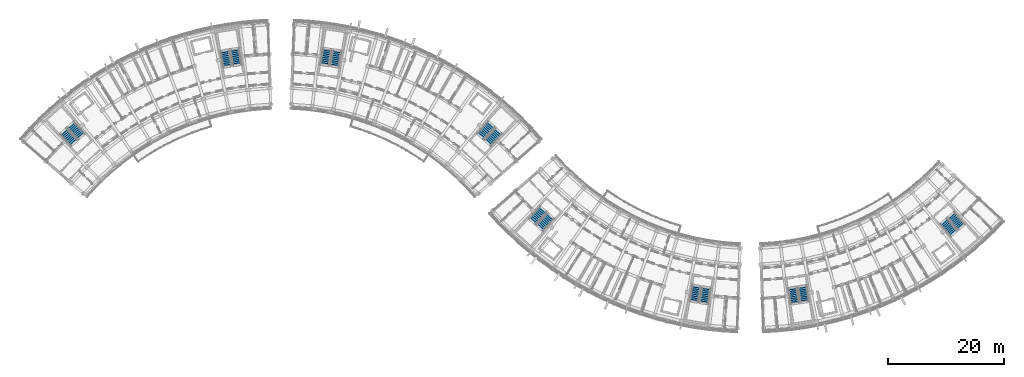
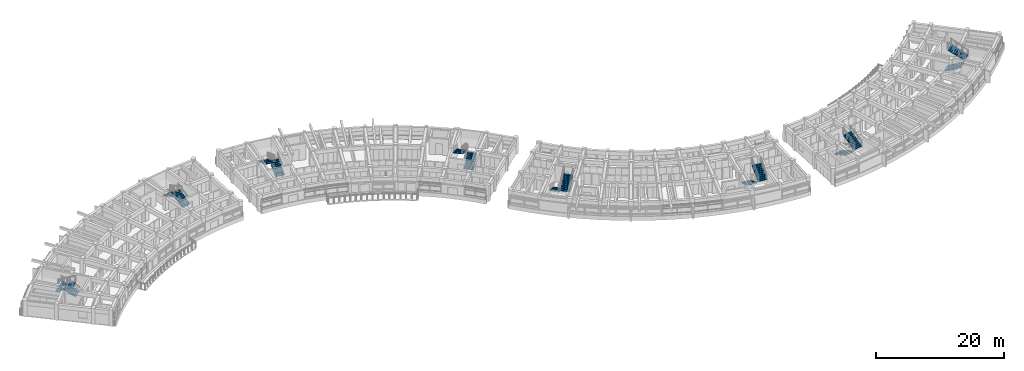
# One storey, part 40 of 56: 16 stair flights, 8 elements without a shape of their own.
"""IFC4 building model written with IfcOpenShell, lengths in metres."""

from ifc_helpers import new_model, si_unit, direction, frame, origin, place, context, subcontext, project, spatial, polyline, outline, extrude, material, type_object, element, aggregate, save


model = new_model("IFC4")

# Units and contexts
model_context = context("Model", 3, precision=1e-05, world=origin(), true_north=direction((0.0, 1.0)))
body_context = subcontext(model_context, "Body", "Model", "MODEL_VIEW")
ifc_project = project(units=[si_unit("LENGTHUNIT", "METRE"), si_unit("AREAUNIT", "SQUARE_METRE"), si_unit("VOLUMEUNIT", "CUBIC_METRE"), si_unit("PLANEANGLEUNIT", "RADIAN"), si_unit("MASSUNIT", "GRAM", prefix="KILO")], contexts=[model_context])

# Site, building, storey
site_placement = place(None, origin())
site = spatial("IfcSite", under=ifc_project, at=site_placement, CompositionType="ELEMENT")
building_placement = place(site_placement, origin())
building = spatial("IfcBuilding", under=site, at=building_placement, Name="Zimvara Arc Housing Community", CompositionType="ELEMENT")
storey_placement = place(building_placement, frame((0.0, 0.0, 11.199951171875)))
storey = spatial("IfcBuildingStorey", under=building, at=storey_placement, Name="L03", CompositionType="ELEMENT", Elevation=11.199951171875)

# Stair, stair flights
ifc_material_1 = material(Name="Concrete C35/45", Category="concrete")
stair_type_1 = type_object("IfcStairType", Name="STR-DL-310-310", PredefinedType="HALF_TURN_STAIR", material=ifc_material_1)
stair_1_placement = place(storey_placement, origin())
stair_1 = element("IfcStair", 1, at=stair_1_placement, inside=storey, type_object=stair_type_1, Name="L03 Block C Exit Stair 2", PredefinedType="HALF_TURN_STAIR")
ifc_material_2 = material(Name="Concrete C35/45", Category="concrete")
stair_flight_type_1 = type_object("IfcStairFlightType", Name="STF-DL-310-310", PredefinedType="STRAIGHT", material=ifc_material_2)
stair_flight_1_placement = place(storey_placement, frame((116.7353515625, 58.27490234375, 0.0), z_axis=(0.0, 0.0, 1.0), x_axis=(-0.160225753504, -0.987080395872, 0.0)))
stair_flight_1 = element("IfcStairFlight", 2, at=stair_flight_1_placement, type_object=stair_flight_type_1, Name="ST-C2 flight 1", NumberOfRisers=10, NumberOfTreads=9, PredefinedType="STRAIGHT", RiserHeight=0.155, TreadLength=0.31, context=body_context, shape_type="SweptSolid", body=[
    extrude(outline(polyline([(0.0, 0.0), (0.0, 0.155029296875), (0.31005859375, 0.155029296875), (0.31005859375, 0.31005859375), (0.6201171875, 0.31005859375), (0.6201171875, 0.465087890625), (0.929931640625, 0.465087890625), (0.929931640625, 0.6201171875), (1.239990234375, 0.6201171875), (1.239990234375, 0.77490234375), (1.550048828125, 0.77490234375), (1.550048828125, 0.929931640625), (1.860107421875, 0.929931640625), (1.860107421875, 1.0849609375), (2.169921875, 1.0849609375), (2.169921875, 1.239990234375), (2.47998046875, 1.239990234375), (2.47998046875, 1.39501953125), (2.7900390625, 1.39501953125), (2.7900390625, 1.550048828125), (2.7900390625, 1.227294921875), (0.335205078125, 0.0), (0.0, 0.0)])), frame((0.0, 0.780029296875, 0.0), z_axis=(0.0, -1.0, 0.0), x_axis=(1.0, 0.0, 0.0)), (0.0, 0.0, 1.0), 1.56005859375),
])
stair_flight_2_placement = place(storey_placement, frame((117.986083984375, 55.2451171875, 1.550048828125), z_axis=(0.0, 0.0, 1.0), x_axis=(0.160225753504, 0.987080395872, 0.0)))
stair_flight_2 = element("IfcStairFlight", 3, at=stair_flight_2_placement, type_object=stair_flight_type_1, Name="ST-C2 flight 2", NumberOfRisers=10, NumberOfTreads=9, PredefinedType="STRAIGHT", RiserHeight=0.155, TreadLength=0.31, context=body_context, shape_type="SweptSolid", body=[
    extrude(outline(polyline([(0.0, 0.0), (0.0, 0.155029296875), (0.31005859375, 0.155029296875), (0.31005859375, 0.31005859375), (0.6201171875, 0.31005859375), (0.6201171875, 0.465087890625), (0.929931640625, 0.465087890625), (0.929931640625, 0.6201171875), (1.239990234375, 0.6201171875), (1.239990234375, 0.77490234375), (1.550048828125, 0.77490234375), (1.550048828125, 0.929931640625), (1.860107421875, 0.929931640625), (1.860107421875, 1.0849609375), (2.169921875, 1.0849609375), (2.169921875, 1.239990234375), (2.47998046875, 1.239990234375), (2.47998046875, 1.39501953125), (2.7900390625, 1.39501953125), (2.7900390625, 1.550048828125), (2.7900390625, 1.227294921875), (0.335205078125, 0.0), (0.0, 0.0)])), frame((0.0, 0.780029296875, 0.0), z_axis=(0.0, -1.0, 0.0), x_axis=(1.0, 0.0, 0.0)), (0.0, 0.0, 1.0), 1.56005859375),
])
aggregate(stair_1, [stair_flight_1, stair_flight_2])

stair_2_placement = place(storey_placement, origin())
stair_2 = element("IfcStair", 4, at=stair_2_placement, inside=storey, type_object=stair_type_1, Name="L03 Block D Exit Stair 1", PredefinedType="HALF_TURN_STAIR")
stair_flight_3_placement = place(storey_placement, frame((133.282470703125, 57.964111328125, 0.0), z_axis=(0.0, 0.0, 1.0), x_axis=(0.155572484907, -0.987824479318, 0.0)))
stair_flight_3 = element("IfcStairFlight", 5, at=stair_flight_3_placement, type_object=stair_flight_type_1, Name="ST-D1 flight 1", NumberOfRisers=10, NumberOfTreads=9, PredefinedType="STRAIGHT", RiserHeight=0.155, TreadLength=0.31, context=body_context, shape_type="SweptSolid", body=[
    extrude(outline(polyline([(0.0, 0.0), (0.0, 0.155029296875), (0.31005859375, 0.155029296875), (0.31005859375, 0.31005859375), (0.6201171875, 0.31005859375), (0.6201171875, 0.465087890625), (0.929931640625, 0.465087890625), (0.929931640625, 0.6201171875), (1.239990234375, 0.6201171875), (1.239990234375, 0.77490234375), (1.550048828125, 0.77490234375), (1.550048828125, 0.929931640625), (1.860107421875, 0.929931640625), (1.860107421875, 1.0849609375), (2.169921875, 1.0849609375), (2.169921875, 1.239990234375), (2.47998046875, 1.239990234375), (2.47998046875, 1.39501953125), (2.7900390625, 1.39501953125), (2.7900390625, 1.550048828125), (2.7900390625, 1.227294921875), (0.335205078125, 0.0), (0.0, 0.0)])), frame((0.0, 0.780029296875, 0.0), z_axis=(0.0, -1.0, 0.0), x_axis=(1.0, 0.0, 0.0)), (0.0, 0.0, 1.0), 1.56005859375),
])
stair_flight_4_placement = place(storey_placement, frame((135.41552734375, 55.475830078125, 1.550048828125), z_axis=(0.0, 0.0, 1.0), x_axis=(-0.155572484907, 0.987824479318, 0.0)))
stair_flight_4 = element("IfcStairFlight", 6, at=stair_flight_4_placement, type_object=stair_flight_type_1, Name="ST-D1 flight 2", NumberOfRisers=10, NumberOfTreads=9, PredefinedType="STRAIGHT", RiserHeight=0.155, TreadLength=0.31, context=body_context, shape_type="SweptSolid", body=[
    extrude(outline(polyline([(0.0, 0.0), (0.0, 0.155029296875), (0.31005859375, 0.155029296875), (0.31005859375, 0.31005859375), (0.6201171875, 0.31005859375), (0.6201171875, 0.465087890625), (0.929931640625, 0.465087890625), (0.929931640625, 0.6201171875), (1.239990234375, 0.6201171875), (1.239990234375, 0.77490234375), (1.550048828125, 0.77490234375), (1.550048828125, 0.929931640625), (1.860107421875, 0.929931640625), (1.860107421875, 1.0849609375), (2.169921875, 1.0849609375), (2.169921875, 1.239990234375), (2.47998046875, 1.239990234375), (2.47998046875, 1.39501953125), (2.7900390625, 1.39501953125), (2.7900390625, 1.550048828125), (2.7900390625, 1.227294921875), (0.335205078125, 0.0), (0.0, 0.0)])), frame((0.0, 0.780029296875, 0.0), z_axis=(0.0, -1.0, 0.0), x_axis=(1.0, 0.0, 0.0)), (0.0, 0.0, 1.0), 1.56005859375),
])
aggregate(stair_2, [stair_flight_3, stair_flight_4])

ifc_material_3 = material(Name="Concrete C35/45", Category="concrete")
stair_type_2 = type_object("IfcStairType", Name="STR-DL-312-310", PredefinedType="HALF_TURN_STAIR", material=ifc_material_3)
stair_3_placement = place(storey_placement, origin())
stair_3 = element("IfcStair", 7, at=stair_3_placement, inside=storey, type_object=stair_type_2, Name="L03 Block A Exit Stair 1", PredefinedType="HALF_TURN_STAIR")
ifc_material_4 = material(Name="Concrete C35/45", Category="concrete")
stair_flight_type_2 = type_object("IfcStairFlightType", Name="STF-DL-312-310", PredefinedType="STRAIGHT", material=ifc_material_4)
stair_flight_5_placement = place(storey_placement, frame((10.590576171875, 84.0283203125, 0.0), z_axis=(0.0, 0.0, 1.0), x_axis=(-0.668871159118, 0.743378350842, 0.0)))
stair_flight_5 = element("IfcStairFlight", 8, at=stair_flight_5_placement, type_object=stair_flight_type_2, Name="ST-A1 flight 1", NumberOfRisers=10, NumberOfTreads=9, PredefinedType="STRAIGHT", RiserHeight=0.155, TreadLength=0.312, context=body_context, shape_type="SweptSolid", body=[
    extrude(outline(polyline([(0.0, 0.0), (0.0, 0.155029296875), (0.31201171875, 0.155029296875), (0.31201171875, 0.31005859375), (0.6240234375, 0.31005859375), (0.6240234375, 0.465087890625), (0.93603515625, 0.465087890625), (0.93603515625, 0.6201171875), (1.248046875, 0.6201171875), (1.248046875, 0.77490234375), (1.56005859375, 0.77490234375), (1.56005859375, 0.929931640625), (1.8720703125, 0.929931640625), (1.8720703125, 1.0849609375), (2.18408203125, 1.0849609375), (2.18408203125, 1.239990234375), (2.49609375, 1.239990234375), (2.49609375, 1.39501953125), (2.80810546875, 1.39501953125), (2.80810546875, 1.550048828125), (2.80810546875, 1.2275390625), (0.3369140625, 0.0), (0.0, 0.0)])), frame((0.0, 0.780029296875, 0.0), z_axis=(0.0, -1.0, 0.0), x_axis=(1.0, 0.0, 0.0)), (0.0, 0.0, 1.0), 1.56005859375),
])
stair_flight_6_placement = place(storey_placement, frame((7.43359375, 84.965087890625, 1.550048828125), z_axis=(0.0, 0.0, 1.0), x_axis=(0.668871159118, -0.743378350842, 0.0)))
stair_flight_6 = element("IfcStairFlight", 9, at=stair_flight_6_placement, type_object=stair_flight_type_2, Name="ST-A1 flight 2", NumberOfRisers=10, NumberOfTreads=9, PredefinedType="STRAIGHT", RiserHeight=0.155, TreadLength=0.312, context=body_context, shape_type="SweptSolid", body=[
    extrude(outline(polyline([(0.0, 0.0), (0.0, 0.155029296875), (0.31201171875, 0.155029296875), (0.31201171875, 0.31005859375), (0.6240234375, 0.31005859375), (0.6240234375, 0.465087890625), (0.93603515625, 0.465087890625), (0.93603515625, 0.6201171875), (1.248046875, 0.6201171875), (1.248046875, 0.77490234375), (1.56005859375, 0.77490234375), (1.56005859375, 0.929931640625), (1.8720703125, 0.929931640625), (1.8720703125, 1.0849609375), (2.18408203125, 1.0849609375), (2.18408203125, 1.239990234375), (2.49609375, 1.239990234375), (2.49609375, 1.39501953125), (2.80810546875, 1.39501953125), (2.80810546875, 1.550048828125), (2.80810546875, 1.2275390625), (0.3369140625, 0.0), (0.0, 0.0)])), frame((0.0, 0.780029296875, 0.0), z_axis=(0.0, -1.0, 0.0), x_axis=(1.0, 0.0, 0.0)), (0.0, 0.0, 1.0), 1.56005859375),
])
aggregate(stair_3, [stair_flight_5, stair_flight_6])

stair_4_placement = place(storey_placement, origin())
stair_4 = element("IfcStair", 10, at=stair_4_placement, inside=storey, type_object=stair_type_2, Name="L03 Block D Exit Stair 2", PredefinedType="HALF_TURN_STAIR")
stair_flight_7_placement = place(storey_placement, frame((159.32177734375, 69.427001953125, 0.0), z_axis=(0.0, 0.0, 1.0), x_axis=(0.648784221735, -0.760972426325, 0.0)))
stair_flight_7 = element("IfcStairFlight", 11, at=stair_flight_7_placement, type_object=stair_flight_type_2, Name="ST-D2 flight 1", NumberOfRisers=10, NumberOfTreads=9, PredefinedType="STRAIGHT", RiserHeight=0.155, TreadLength=0.312, context=body_context, shape_type="SweptSolid", body=[
    extrude(outline(polyline([(0.0, 0.0), (0.0, 0.155029296875), (0.31201171875, 0.155029296875), (0.31201171875, 0.31005859375), (0.6240234375, 0.31005859375), (0.6240234375, 0.465087890625), (0.93603515625, 0.465087890625), (0.93603515625, 0.6201171875), (1.248046875, 0.6201171875), (1.248046875, 0.77490234375), (1.56005859375, 0.77490234375), (1.56005859375, 0.929931640625), (1.8720703125, 0.929931640625), (1.8720703125, 1.0849609375), (2.18408203125, 1.0849609375), (2.18408203125, 1.239990234375), (2.49609375, 1.239990234375), (2.49609375, 1.39501953125), (2.80810546875, 1.39501953125), (2.80810546875, 1.550048828125), (2.80810546875, 1.2275390625), (0.3369140625, 0.0), (0.0, 0.0)])), frame((0.0, 0.780029296875, 0.0), z_axis=(0.0, -1.0, 0.0), x_axis=(1.0, 0.0, 0.0)), (0.0, 0.0, 1.0), 1.56005859375),
])
stair_flight_8_placement = place(storey_placement, frame((162.45263671875, 68.40625, 1.550048828125), z_axis=(0.0, 0.0, 1.0), x_axis=(-0.648784221735, 0.760972426325, 0.0)))
stair_flight_8 = element("IfcStairFlight", 12, at=stair_flight_8_placement, type_object=stair_flight_type_2, Name="ST-D2 flight 2", NumberOfRisers=10, NumberOfTreads=9, PredefinedType="STRAIGHT", RiserHeight=0.155, TreadLength=0.312, context=body_context, shape_type="SweptSolid", body=[
    extrude(outline(polyline([(0.0, 0.0), (0.0, 0.155029296875), (0.31201171875, 0.155029296875), (0.31201171875, 0.31005859375), (0.6240234375, 0.31005859375), (0.6240234375, 0.465087890625), (0.93603515625, 0.465087890625), (0.93603515625, 0.6201171875), (1.248046875, 0.6201171875), (1.248046875, 0.77490234375), (1.56005859375, 0.77490234375), (1.56005859375, 0.929931640625), (1.8720703125, 0.929931640625), (1.8720703125, 1.0849609375), (2.18408203125, 1.0849609375), (2.18408203125, 1.239990234375), (2.49609375, 1.239990234375), (2.49609375, 1.39501953125), (2.80810546875, 1.39501953125), (2.80810546875, 1.550048828125), (2.80810546875, 1.2275390625), (0.3369140625, 0.0), (0.0, 0.0)])), frame((0.0, 0.780029296875, 0.0), z_axis=(0.0, -1.0, 0.0), x_axis=(1.0, 0.0, 0.0)), (0.0, 0.0, 1.0), 1.56005859375),
])
aggregate(stair_4, [stair_flight_7, stair_flight_8])

ifc_material_5 = material(Name="Concrete C35/45", Category="concrete")
stair_type_3 = type_object("IfcStairType", Name="STR-DL-315-310", PredefinedType="HALF_TURN_STAIR", material=ifc_material_5)
stair_5_placement = place(storey_placement, origin())
stair_5 = element("IfcStair", 13, at=stair_5_placement, inside=storey, type_object=stair_type_3, Name="L03 Block A Exit Stair 2", PredefinedType="HALF_TURN_STAIR")
ifc_material_6 = material(Name="Concrete C35/45", Category="concrete")
stair_flight_type_3 = type_object("IfcStairFlightType", Name="STF-DL-315-310", PredefinedType="STRAIGHT", material=ifc_material_6)
stair_flight_9_placement = place(storey_placement, frame((37.453125, 96.36083984375, 0.0), z_axis=(0.0, 0.0, 1.0), x_axis=(-0.160225753504, 0.987080395872, 0.0)))
stair_flight_9 = element("IfcStairFlight", 14, at=stair_flight_9_placement, type_object=stair_flight_type_3, Name="ST-A2 flight 1", NumberOfRisers=10, NumberOfTreads=9, PredefinedType="STRAIGHT", RiserHeight=0.155, TreadLength=0.315, context=body_context, shape_type="SweptSolid", body=[
    extrude(outline(polyline([(0.0, 0.0), (0.0, 0.155029296875), (0.31494140625, 0.155029296875), (0.31494140625, 0.31005859375), (0.6298828125, 0.31005859375), (0.6298828125, 0.465087890625), (0.945068359375, 0.465087890625), (0.945068359375, 0.6201171875), (1.260009765625, 0.6201171875), (1.260009765625, 0.77490234375), (1.574951171875, 0.77490234375), (1.574951171875, 0.929931640625), (1.889892578125, 0.929931640625), (1.889892578125, 1.0849609375), (2.205078125, 1.0849609375), (2.205078125, 1.239990234375), (2.52001953125, 1.239990234375), (2.52001953125, 1.39501953125), (2.8349609375, 1.39501953125), (2.8349609375, 1.550048828125), (2.8349609375, 1.22802734375), (0.339599609375, 0.0), (0.0, 0.0)])), frame((0.0, 0.780029296875, 0.0), z_axis=(0.0, -1.0, 0.0), x_axis=(1.0, 0.0, 0.0)), (0.0, 0.0, 1.0), 1.56005859375),
])
stair_flight_10_placement = place(storey_placement, frame((35.301025390625, 98.883544921875, 1.550048828125), z_axis=(0.0, 0.0, 1.0), x_axis=(0.160225753504, -0.987080395872, 0.0)))
stair_flight_10 = element("IfcStairFlight", 15, at=stair_flight_10_placement, type_object=stair_flight_type_3, Name="ST-A2 flight 2", NumberOfRisers=10, NumberOfTreads=9, PredefinedType="STRAIGHT", RiserHeight=0.155, TreadLength=0.315, context=body_context, shape_type="SweptSolid", body=[
    extrude(outline(polyline([(0.0, 0.0), (0.0, 0.155029296875), (0.31494140625, 0.155029296875), (0.31494140625, 0.31005859375), (0.6298828125, 0.31005859375), (0.6298828125, 0.465087890625), (0.945068359375, 0.465087890625), (0.945068359375, 0.6201171875), (1.260009765625, 0.6201171875), (1.260009765625, 0.77490234375), (1.574951171875, 0.77490234375), (1.574951171875, 0.929931640625), (1.889892578125, 0.929931640625), (1.889892578125, 1.0849609375), (2.205078125, 1.0849609375), (2.205078125, 1.239990234375), (2.52001953125, 1.239990234375), (2.52001953125, 1.39501953125), (2.8349609375, 1.39501953125), (2.8349609375, 1.550048828125), (2.8349609375, 1.22802734375), (0.339599609375, 0.0), (0.0, 0.0)])), frame((0.0, 0.780029296875, 0.0), z_axis=(0.0, -1.0, 0.0), x_axis=(1.0, 0.0, 0.0)), (0.0, 0.0, 1.0), 1.56005859375),
])
aggregate(stair_5, [stair_flight_9, stair_flight_10])

stair_6_placement = place(storey_placement, origin())
stair_6 = element("IfcStair", 16, at=stair_6_placement, inside=storey, type_object=stair_type_3, Name="L03 Block B Exit Stair 1", PredefinedType="HALF_TURN_STAIR")
stair_flight_11_placement = place(storey_placement, frame((54.24462890625, 96.085205078125, 0.0), z_axis=(0.0, 0.0, 1.0), x_axis=(0.160225753504, 0.987080395872, 0.0)))
stair_flight_11 = element("IfcStairFlight", 17, at=stair_flight_11_placement, type_object=stair_flight_type_3, Name="ST-B1 flight 1", NumberOfRisers=10, NumberOfTreads=9, PredefinedType="STRAIGHT", RiserHeight=0.155, TreadLength=0.315, context=body_context, shape_type="SweptSolid", body=[
    extrude(outline(polyline([(0.0, 0.0), (0.0, 0.155029296875), (0.31494140625, 0.155029296875), (0.31494140625, 0.31005859375), (0.6298828125, 0.31005859375), (0.6298828125, 0.465087890625), (0.945068359375, 0.465087890625), (0.945068359375, 0.6201171875), (1.260009765625, 0.6201171875), (1.260009765625, 0.77490234375), (1.574951171875, 0.77490234375), (1.574951171875, 0.929931640625), (1.889892578125, 0.929931640625), (1.889892578125, 1.0849609375), (2.205078125, 1.0849609375), (2.205078125, 1.239990234375), (2.52001953125, 1.239990234375), (2.52001953125, 1.39501953125), (2.8349609375, 1.39501953125), (2.8349609375, 1.550048828125), (2.8349609375, 1.22802734375), (0.339599609375, 0.0), (0.0, 0.0)])), frame((0.0, 0.780029296875, 0.0), z_axis=(0.0, -1.0, 0.0), x_axis=(1.0, 0.0, 0.0)), (0.0, 0.0, 1.0), 1.56005859375),
])
stair_flight_12_placement = place(storey_placement, frame((53.001220703125, 99.1591796875, 1.550048828125), z_axis=(0.0, 0.0, 1.0), x_axis=(-0.160225753504, -0.987080395872, 0.0)))
stair_flight_12 = element("IfcStairFlight", 18, at=stair_flight_12_placement, type_object=stair_flight_type_3, Name="ST-B1 flight 2", NumberOfRisers=10, NumberOfTreads=9, PredefinedType="STRAIGHT", RiserHeight=0.155, TreadLength=0.315, context=body_context, shape_type="SweptSolid", body=[
    extrude(outline(polyline([(0.0, 0.0), (0.0, 0.155029296875), (0.31494140625, 0.155029296875), (0.31494140625, 0.31005859375), (0.6298828125, 0.31005859375), (0.6298828125, 0.465087890625), (0.945068359375, 0.465087890625), (0.945068359375, 0.6201171875), (1.260009765625, 0.6201171875), (1.260009765625, 0.77490234375), (1.574951171875, 0.77490234375), (1.574951171875, 0.929931640625), (1.889892578125, 0.929931640625), (1.889892578125, 1.0849609375), (2.205078125, 1.0849609375), (2.205078125, 1.239990234375), (2.52001953125, 1.239990234375), (2.52001953125, 1.39501953125), (2.8349609375, 1.39501953125), (2.8349609375, 1.550048828125), (2.8349609375, 1.22802734375), (0.339599609375, 0.0), (0.0, 0.0)])), frame((0.0, 0.780029296875, 0.0), z_axis=(0.0, -1.0, 0.0), x_axis=(1.0, 0.0, 0.0)), (0.0, 0.0, 1.0), 1.56005859375),
])
aggregate(stair_6, [stair_flight_11, stair_flight_12])

ifc_material_7 = material(Name="Concrete C35/45", Category="concrete")
stair_type_4 = type_object("IfcStairType", Name="STR-DL-318-310", PredefinedType="HALF_TURN_STAIR", material=ifc_material_7)
stair_7_placement = place(storey_placement, origin())
stair_7 = element("IfcStair", 19, at=stair_7_placement, inside=storey, type_object=stair_type_4, Name="L03 Block B Exit Stair 2", PredefinedType="HALF_TURN_STAIR")
ifc_material_8 = material(Name="Concrete C35/45", Category="concrete")
stair_flight_type_4 = type_object("IfcStairFlightType", Name="STF-DL-318-310", PredefinedType="STRAIGHT", material=ifc_material_8)
stair_flight_13_placement = place(storey_placement, frame((80.688232421875, 82.877685546875, 0.0), z_axis=(0.0, 0.0, 1.0), x_axis=(0.668871159118, 0.743378350842, 0.0)))
stair_flight_13 = element("IfcStairFlight", 20, at=stair_flight_13_placement, type_object=stair_flight_type_4, Name="ST-B2 flight 1", NumberOfRisers=10, NumberOfTreads=9, PredefinedType="STRAIGHT", RiserHeight=0.155, TreadLength=0.318, context=body_context, shape_type="SweptSolid", body=[
    extrude(outline(polyline([(0.0, 0.0), (0.0, 0.155029296875), (0.318115234375, 0.155029296875), (0.318115234375, 0.31005859375), (0.635986328125, 0.31005859375), (0.635986328125, 0.465087890625), (0.9541015625, 0.465087890625), (0.9541015625, 0.6201171875), (1.27197265625, 0.6201171875), (1.27197265625, 0.77490234375), (1.590087890625, 0.77490234375), (1.590087890625, 0.929931640625), (1.907958984375, 0.929931640625), (1.907958984375, 1.0849609375), (2.22607421875, 1.0849609375), (2.22607421875, 1.239990234375), (2.5439453125, 1.239990234375), (2.5439453125, 1.39501953125), (2.862060546875, 1.39501953125), (2.862060546875, 1.550048828125), (2.862060546875, 1.228271484375), (0.342041015625, 0.0), (0.0, 0.0)])), frame((0.0, 0.780029296875, 0.0), z_axis=(0.0, -1.0, 0.0), x_axis=(1.0, 0.0, 0.0)), (0.0, 0.0, 1.0), 1.56005859375),
])
stair_flight_14_placement = place(storey_placement, frame((81.323974609375, 86.15576171875, 1.550048828125), z_axis=(0.0, 0.0, 1.0), x_axis=(-0.668871159118, -0.743378350842, 0.0)))
stair_flight_14 = element("IfcStairFlight", 21, at=stair_flight_14_placement, type_object=stair_flight_type_4, Name="ST-B2 flight 2", NumberOfRisers=10, NumberOfTreads=9, PredefinedType="STRAIGHT", RiserHeight=0.155, TreadLength=0.318, context=body_context, shape_type="SweptSolid", body=[
    extrude(outline(polyline([(0.0, 0.0), (0.0, 0.155029296875), (0.318115234375, 0.155029296875), (0.318115234375, 0.31005859375), (0.635986328125, 0.31005859375), (0.635986328125, 0.465087890625), (0.9541015625, 0.465087890625), (0.9541015625, 0.6201171875), (1.27197265625, 0.6201171875), (1.27197265625, 0.77490234375), (1.590087890625, 0.77490234375), (1.590087890625, 0.929931640625), (1.907958984375, 0.929931640625), (1.907958984375, 1.0849609375), (2.22607421875, 1.0849609375), (2.22607421875, 1.239990234375), (2.5439453125, 1.239990234375), (2.5439453125, 1.39501953125), (2.862060546875, 1.39501953125), (2.862060546875, 1.550048828125), (2.862060546875, 1.228271484375), (0.342041015625, 0.0), (0.0, 0.0)])), frame((0.0, 0.780029296875, 0.0), z_axis=(0.0, -1.0, 0.0), x_axis=(1.0, 0.0, 0.0)), (0.0, 0.0, 1.0), 1.56005859375),
])
aggregate(stair_7, [stair_flight_13, stair_flight_14])

stair_8_placement = place(storey_placement, origin())
stair_8 = element("IfcStair", 22, at=stair_8_placement, inside=storey, type_object=stair_type_4, Name="L03 Block C Exit Stair 1", PredefinedType="HALF_TURN_STAIR")
stair_flight_15_placement = place(storey_placement, frame((90.291748046875, 71.482177734375, 0.0), z_axis=(0.0, 0.0, 1.0), x_axis=(-0.668871159118, -0.743378350842, 0.0)))
stair_flight_15 = element("IfcStairFlight", 23, at=stair_flight_15_placement, type_object=stair_flight_type_4, Name="ST-C1 flight 1", NumberOfRisers=10, NumberOfTreads=9, PredefinedType="STRAIGHT", RiserHeight=0.155, TreadLength=0.318, context=body_context, shape_type="SweptSolid", body=[
    extrude(outline(polyline([(0.0, 0.0), (0.0, 0.155029296875), (0.318115234375, 0.155029296875), (0.318115234375, 0.31005859375), (0.635986328125, 0.31005859375), (0.635986328125, 0.465087890625), (0.9541015625, 0.465087890625), (0.9541015625, 0.6201171875), (1.27197265625, 0.6201171875), (1.27197265625, 0.77490234375), (1.590087890625, 0.77490234375), (1.590087890625, 0.929931640625), (1.907958984375, 0.929931640625), (1.907958984375, 1.0849609375), (2.22607421875, 1.0849609375), (2.22607421875, 1.239990234375), (2.5439453125, 1.239990234375), (2.5439453125, 1.39501953125), (2.862060546875, 1.39501953125), (2.862060546875, 1.550048828125), (2.862060546875, 1.228271484375), (0.342041015625, 0.0), (0.0, 0.0)])), frame((0.0, 0.780029296875, 0.0), z_axis=(0.0, -1.0, 0.0), x_axis=(1.0, 0.0, 0.0)), (0.0, 0.0, 1.0), 1.56005859375),
])
stair_flight_16_placement = place(storey_placement, frame((89.65625, 68.2041015625, 1.550048828125), z_axis=(0.0, 0.0, 1.0), x_axis=(0.668871159118, 0.743378350842, 0.0)))
stair_flight_16 = element("IfcStairFlight", 24, at=stair_flight_16_placement, type_object=stair_flight_type_4, Name="ST-C1 flight 2", NumberOfRisers=10, NumberOfTreads=9, PredefinedType="STRAIGHT", RiserHeight=0.155, TreadLength=0.318, context=body_context, shape_type="SweptSolid", body=[
    extrude(outline(polyline([(0.0, 0.0), (0.0, 0.155029296875), (0.318115234375, 0.155029296875), (0.318115234375, 0.31005859375), (0.635986328125, 0.31005859375), (0.635986328125, 0.465087890625), (0.9541015625, 0.465087890625), (0.9541015625, 0.6201171875), (1.27197265625, 0.6201171875), (1.27197265625, 0.77490234375), (1.590087890625, 0.77490234375), (1.590087890625, 0.929931640625), (1.907958984375, 0.929931640625), (1.907958984375, 1.0849609375), (2.22607421875, 1.0849609375), (2.22607421875, 1.239990234375), (2.5439453125, 1.239990234375), (2.5439453125, 1.39501953125), (2.862060546875, 1.39501953125), (2.862060546875, 1.550048828125), (2.862060546875, 1.228271484375), (0.342041015625, 0.0), (0.0, 0.0)])), frame((0.0, 0.780029296875, 0.0), z_axis=(0.0, -1.0, 0.0), x_axis=(1.0, 0.0, 0.0)), (0.0, 0.0, 1.0), 1.56005859375),
])
aggregate(stair_8, [stair_flight_15, stair_flight_16])

save(model, "model.ifc")
